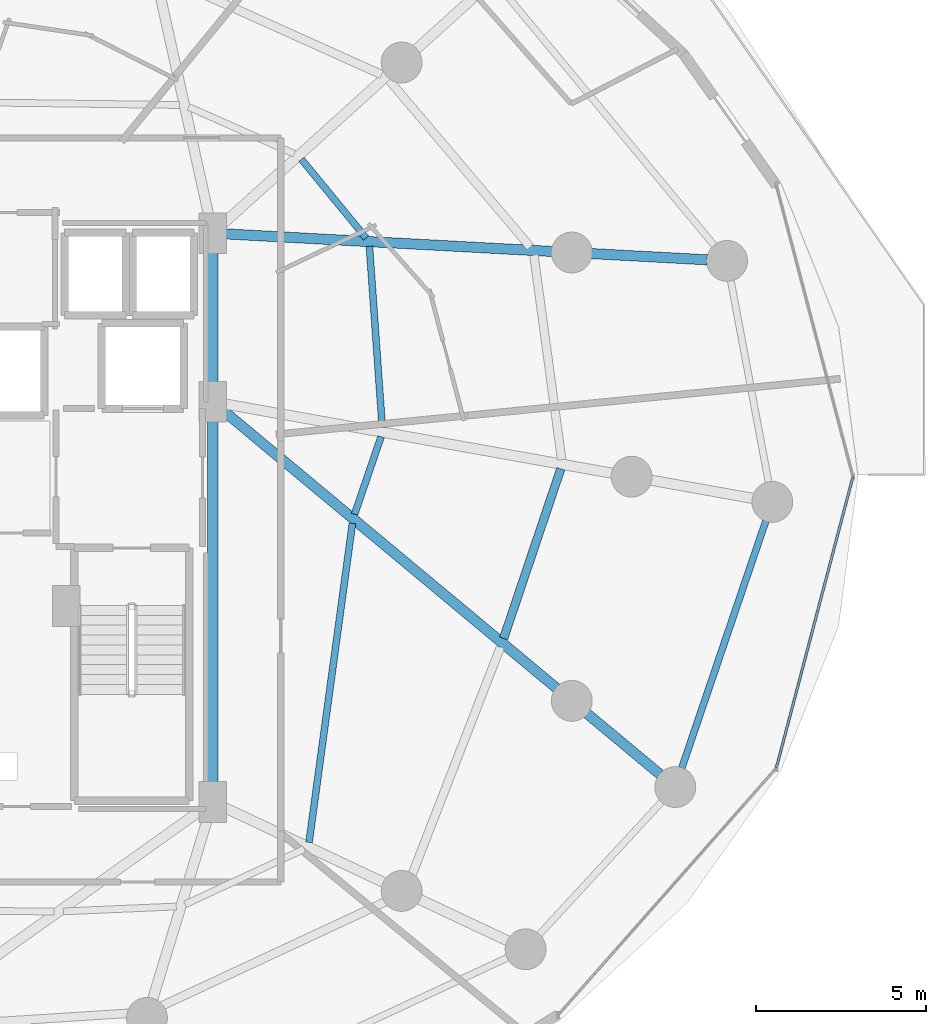
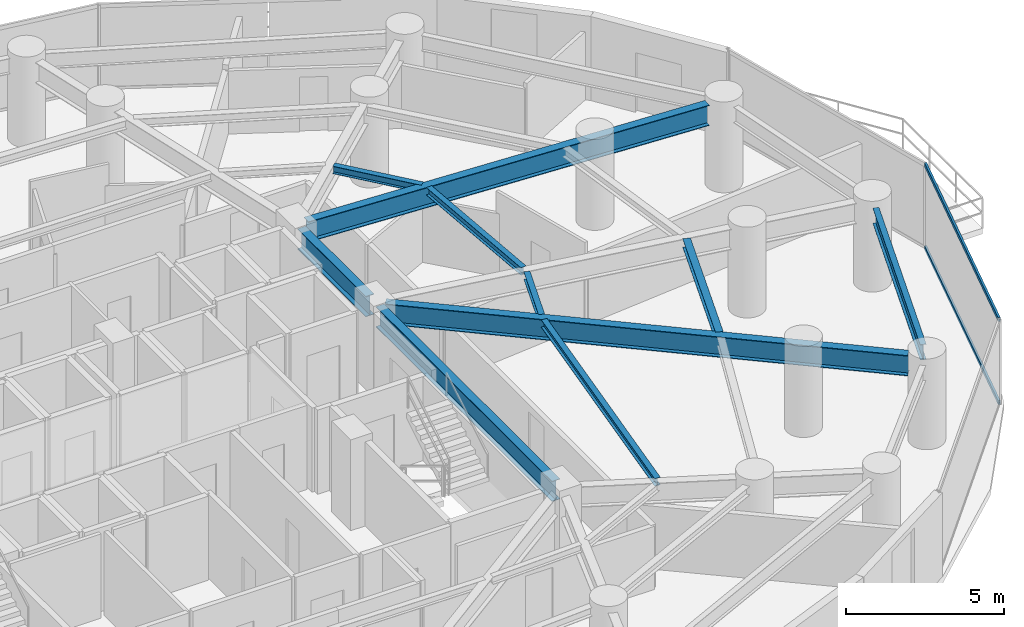
# One storey, part 12 of 30: 10 beams, 2 members, 1 element without a shape of its own.
"""IFC4 building model written with IfcOpenShell, lengths in metres."""

from ifc_helpers import new_model, si_unit, direction, frame, origin, origin_2d, place, context, subcontext, project, spatial, hollow_rectangle, i_section, extrude, material, material_profile, profile_set, type_object, element, aggregate, save


model = new_model("IFC4")

# Units and contexts
model_context = context("Model", 3, precision=1e-05, world=origin(), true_north=direction((0.0, 1.0)))
body_context = subcontext(model_context, "Body", "Model", "MODEL_VIEW")
ifc_project = project(units=[si_unit("LENGTHUNIT", "METRE"), si_unit("AREAUNIT", "SQUARE_METRE"), si_unit("VOLUMEUNIT", "CUBIC_METRE"), si_unit("PLANEANGLEUNIT", "RADIAN"), si_unit("MASSUNIT", "GRAM", prefix="KILO")], contexts=[model_context])

# Site, building, storey
site_placement = place(None, origin())
site = spatial("IfcSite", under=ifc_project, at=site_placement, CompositionType="ELEMENT")
building_placement = place(site_placement, origin())
building = spatial("IfcBuilding", under=site, at=building_placement, Name="Vorneva Point Tower", CompositionType="ELEMENT")
storey_placement = place(building_placement, frame((0.0, 0.0, 55.5)))
storey = spatial("IfcBuildingStorey", under=building, at=storey_placement, Name="L14", CompositionType="ELEMENT", Elevation=55.5)

# Beams
ifc_material_1 = material(Name="Steel S355", Category="steel")
ifc_material_profile_1 = material_profile(ifc_material_1, i_section(OverallWidth=0.300048828125, OverallDepth=0.7880859375, WebThickness=0.014404296875, FlangeThickness=0.02197265625, at=origin_2d()), Name="80Sh1")
ifc_profile_set_1 = profile_set([ifc_material_profile_1], Name="Steel S355")
beam_type_1 = type_object("IfcBeamType", Name="BM-GRD-80Sh1", PredefinedType="USERDEFINED", material=ifc_profile_set_1)
beam_1_placement = place(storey_placement, frame((63.267333984375, 32.368408203125, 2.845947265625), z_axis=(-0.998554321193, 0.053751908115, 0.0), x_axis=(-0.053751908115, -0.998554321193, 0.0)))
element("IfcBeam", 1, at=beam_1_placement, inside=storey, type_object=beam_type_1, Name="L14 Radial Primary Girder 02", ObjectType="GIRDER", PredefinedType="USERDEFINED", context=body_context, shape_type="SweptSolid", body=[
    extrude(i_section(OverallWidth=0.300048828125, OverallDepth=0.7880859375, WebThickness=0.014404296875, FlangeThickness=0.02197265625, at=origin_2d()), origin(), (0.0, 0.0, 1.0), 14.1982421875),
])
beam_2_placement = place(storey_placement, frame((61.883056640625, 17.2626953125, 2.845947265625), z_axis=(-0.768420748131, 0.639944961572, 0.0), x_axis=(-0.639944961572, -0.768420748131, 0.0)))
element("IfcBeam", 2, at=beam_2_placement, inside=storey, type_object=beam_type_1, Name="L14 Radial Primary Girder 16", ObjectType="GIRDER", PredefinedType="USERDEFINED", context=body_context, shape_type="SweptSolid", body=[
    extrude(i_section(OverallWidth=0.300048828125, OverallDepth=0.7880859375, WebThickness=0.014404296875, FlangeThickness=0.02197265625, at=origin_2d()), origin(), (0.0, 0.0, 1.0), 16.7509765625),
])
beam_3_placement = place(storey_placement, frame((48.75, 16.77001953125, 2.845947265625), z_axis=(0.0, 1.0, 0.0), x_axis=(-1.0, 0.0, 0.0)))
element("IfcBeam", 3, at=beam_3_placement, inside=storey, type_object=beam_type_1, Name="L14 Core Tie Girder CT3", ObjectType="GIRDER", PredefinedType="USERDEFINED", context=body_context, shape_type="SweptSolid", body=[
    extrude(i_section(OverallWidth=0.300048828125, OverallDepth=0.7880859375, WebThickness=0.014404296875, FlangeThickness=0.02197265625, at=origin_2d()), origin(), (0.0, 0.0, 1.0), 11.10986328125),
])
beam_4_placement = place(storey_placement, frame((48.75, 28.52001953125, 2.845947265625), z_axis=(0.0, 1.0, 0.0), x_axis=(-1.0, 0.0, 0.0)))
element("IfcBeam", 4, at=beam_4_placement, inside=storey, type_object=beam_type_1, Name="L14 Core Tie Girder CT4", ObjectType="GIRDER", PredefinedType="USERDEFINED", context=body_context, shape_type="SweptSolid", body=[
    extrude(i_section(OverallWidth=0.300048828125, OverallDepth=0.7880859375, WebThickness=0.014404296875, FlangeThickness=0.02197265625, at=origin_2d()), origin(), (0.0, 0.0, 1.0), 4.31005859375),
])
ifc_material_profile_2 = material_profile(ifc_material_1, i_section(OverallWidth=0.199951171875, OverallDepth=0.291015625, WebThickness=0.008056640625, FlangeThickness=0.010986328125, at=origin_2d()), Name="30Sh1")
ifc_profile_set_2 = profile_set([ifc_material_profile_2], Name="Steel S355")
beam_type_2 = type_object("IfcBeamType", Name="BM-SEC-30Sh1", PredefinedType="BEAM", material=ifc_profile_set_2)
beam_5_placement = place(storey_placement, frame((53.73046875, 27.445068359375, 3.094482421875), z_axis=(-0.070863166542, 0.997486045831, 0.0), x_axis=(-0.997486045831, -0.070863166542, 0.0)))
element("IfcBeam", 5, at=beam_5_placement, inside=storey, type_object=beam_type_2, Name="L14 Secondary Floor Beam 2.01", PredefinedType="BEAM", context=body_context, shape_type="SweptSolid", body=[
    extrude(i_section(OverallWidth=0.199951171875, OverallDepth=0.291015625, WebThickness=0.008056640625, FlangeThickness=0.010986328125, at=origin_2d()), origin(), (0.0, 0.0, 1.0), 5.333251953125),
])
beam_6_placement = place(storey_placement, frame((53.25537109375, 33.00927734375, 3.094482421875), z_axis=(-0.634779472227, 0.772693355503, 0.0), x_axis=(-0.772693355503, -0.634779472227, 0.0)))
element("IfcBeam", 6, at=beam_6_placement, inside=storey, type_object=beam_type_2, Name="L14 Secondary Floor Beam 2.02", PredefinedType="BEAM", context=body_context, shape_type="SweptSolid", body=[
    extrude(i_section(OverallWidth=0.199951171875, OverallDepth=0.291015625, WebThickness=0.008056640625, FlangeThickness=0.010986328125, at=origin_2d()), origin(), (0.0, 0.0, 1.0), 2.989990234375),
])
beam_7_placement = place(storey_placement, frame((51.580810546875, 15.2626953125, 3.094482421875), z_axis=(0.134707523593, 0.99088540361, 0.0), x_axis=(-0.99088540361, 0.134707523593, 0.0)))
element("IfcBeam", 7, at=beam_7_placement, inside=storey, type_object=beam_type_2, Name="L14 Secondary Floor Beam 2.15", PredefinedType="BEAM", context=body_context, shape_type="SweptSolid", body=[
    extrude(i_section(OverallWidth=0.199951171875, OverallDepth=0.291015625, WebThickness=0.008056640625, FlangeThickness=0.010986328125, at=origin_2d()), origin(), (0.0, 0.0, 1.0), 9.453369140625),
])
beam_8_placement = place(storey_placement, frame((52.91748046875, 24.897216796875, 3.094482421875), z_axis=(0.323121713723, 0.946357415631, 0.0), x_axis=(-0.946357415631, 0.323121713723, 0.0)))
element("IfcBeam", 8, at=beam_8_placement, inside=storey, type_object=beam_type_2, Name="L14 Secondary Floor Beam 2.16", PredefinedType="BEAM", context=body_context, shape_type="SweptSolid", body=[
    extrude(i_section(OverallWidth=0.199951171875, OverallDepth=0.291015625, WebThickness=0.008056640625, FlangeThickness=0.010986328125, at=origin_2d()), origin(), (0.0, 0.0, 1.0), 2.40869140625),
])
ifc_material_profile_3 = material_profile(ifc_material_1, i_section(OverallWidth=0.2490234375, OverallDepth=0.333984375, WebThickness=0.008056640625, FlangeThickness=0.010986328125, at=origin_2d()), Name="35Sh1")
ifc_profile_set_3 = profile_set([ifc_material_profile_3], Name="Steel S355")
beam_type_3 = type_object("IfcBeamType", Name="BM-SEC-35Sh1", PredefinedType="BEAM", material=ifc_profile_set_3)
beam_9_placement = place(storey_placement, frame((57.293212890625, 21.252685546875, 3.072998046875), z_axis=(0.319500788123, 0.947586010022, 0.0), x_axis=(-0.947586010022, 0.319500788123, 0.0)))
element("IfcBeam", 9, at=beam_9_placement, inside=storey, type_object=beam_type_3, Name="L14 Secondary Floor Beam 1.16", PredefinedType="BEAM", context=body_context, shape_type="SweptSolid", body=[
    extrude(i_section(OverallWidth=0.2490234375, OverallDepth=0.333984375, WebThickness=0.008056640625, FlangeThickness=0.010986328125, at=origin_2d()), origin(), (0.0, 0.0, 1.0), 5.255615234375),
])
ifc_material_profile_4 = material_profile(ifc_material_1, i_section(OverallWidth=0.198974609375, OverallDepth=0.595947265625, WebThickness=0.010009765625, FlangeThickness=0.014892578125, at=origin_2d()), Name="60B1")
ifc_profile_set_4 = profile_set([ifc_material_profile_4], Name="Steel S355")
beam_type_4 = type_object("IfcBeamType", Name="BM-SPN-60B1", PredefinedType="SPANDREL", material=ifc_profile_set_4)
beam_10_placement = place(storey_placement, frame((62.523193359375, 17.4404296875, 2.94189453125), z_axis=(0.321909576381, 0.946770418124, 0.0), x_axis=(-0.946770418124, 0.321909576381, 0.0)))
element("IfcBeam", 10, at=beam_10_placement, inside=storey, type_object=beam_type_4, Name="L14 Perimeter Spandrel Ring Beam 16", PredefinedType="SPANDREL", context=body_context, shape_type="SweptSolid", body=[
    extrude(i_section(OverallWidth=0.198974609375, OverallDepth=0.595947265625, WebThickness=0.010009765625, FlangeThickness=0.014892578125, at=origin_2d()), origin(), (0.0, 0.0, 1.0), 7.675048828125),
])

# Curtain wall, members
ifc_material_2 = material(Name="Pale anodised aluminium", Category="aluminium")
curtain_wall_type = type_object("IfcCurtainWallType", Name="CW-HTL-SYS", PredefinedType="NOTDEFINED", material=ifc_material_2)
curtain_wall_placement = place(storey_placement, origin())
curtain_wall = element("IfcCurtainWall", 11, at=curtain_wall_placement, inside=storey, type_object=curtain_wall_type, Name="L14 Unitised Curtain Wall CW-L14-R01", PredefinedType="NOTDEFINED")
ifc_material_profile_5 = material_profile(ifc_material_2, hollow_rectangle(XDim=0.074951171875, YDim=0.14990234375, WallThickness=0.00390625, at=origin_2d()), Name="AL-TRN 150x75x4")
ifc_profile_set_5 = profile_set([ifc_material_profile_5], Name="Pale anodised aluminium")
member_type = type_object("IfcMemberType", Name="CW-TRN-150", PredefinedType="USERDEFINED", material=ifc_profile_set_5)
member_1_placement = place(storey_placement, frame((65.300537109375, 17.447021484375, 0.02001953125), z_axis=(0.254358772746, 0.967109928978, 0.0), x_axis=(-0.967109928978, 0.254358772746, 0.0)))
member_1 = element("IfcMember", 12, at=member_1_placement, type_object=member_type, Name="CW-L14-R01 Transom 02.1", ObjectType="TRANSOM", PredefinedType="USERDEFINED", context=body_context, shape_type="SweptSolid", body=[
    extrude(hollow_rectangle(XDim=0.074951171875, YDim=0.14990234375, WallThickness=0.00390625, at=origin_2d()), origin(), (0.0, 0.0, 1.0), 8.84375),
])
member_2_placement = place(storey_placement, frame((65.300537109375, 17.447021484375, 3.219970703125), z_axis=(0.254358772746, 0.967109928978, 0.0), x_axis=(-0.967109928978, 0.254358772746, 0.0)))
member_2 = element("IfcMember", 13, at=member_2_placement, type_object=member_type, Name="CW-L14-R01 Transom 02.2", ObjectType="TRANSOM", PredefinedType="USERDEFINED", context=body_context, shape_type="SweptSolid", body=[
    extrude(hollow_rectangle(XDim=0.074951171875, YDim=0.14990234375, WallThickness=0.00390625, at=origin_2d()), origin(), (0.0, 0.0, 1.0), 8.84375),
])
aggregate(curtain_wall, [member_1, member_2])

save(model, "model.ifc")
